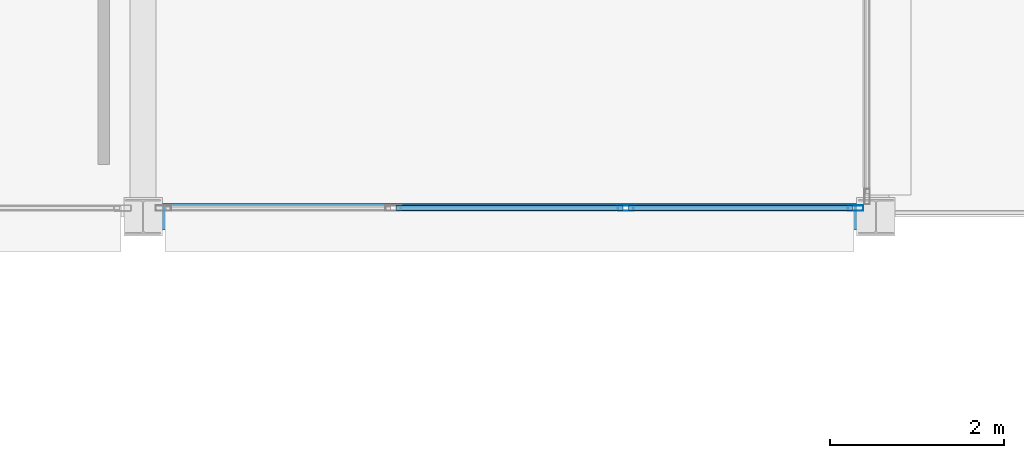
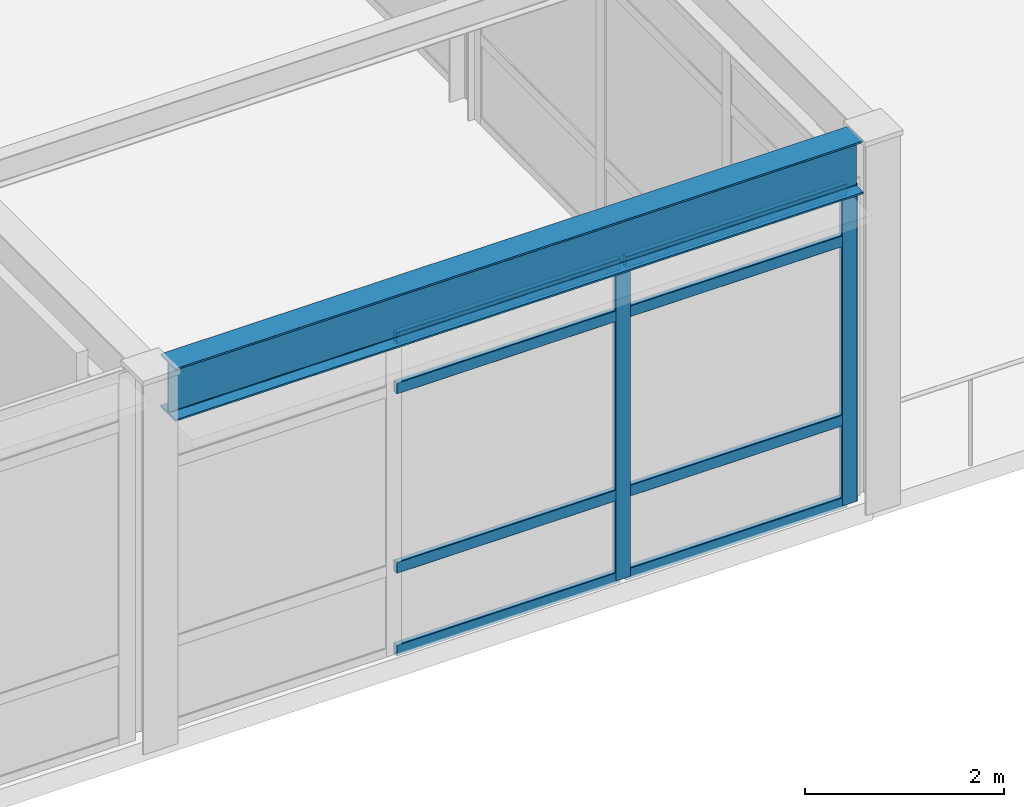
# One storey, part 5 of 61: 10 members, 1 beam, 1 element without a shape of its own.
"""IFC4 building model written with IfcOpenShell, lengths in metres."""

from ifc_helpers import new_model, si_unit, direction, frame, origin, origin_2d, place, context, subcontext, project, spatial, hollow_rectangle, i_section, extrude, material, layer, layer_set, material_profile, profile_set, type_object, element, aggregate, save


model = new_model("IFC4")

# Units and contexts
model_context = context("Model", 3, precision=1e-05, world=origin(), true_north=direction((0.0, 1.0)))
body_context = subcontext(model_context, "Body", "Model", "MODEL_VIEW")
ifc_project = project(units=[si_unit("LENGTHUNIT", "METRE"), si_unit("AREAUNIT", "SQUARE_METRE"), si_unit("VOLUMEUNIT", "CUBIC_METRE"), si_unit("PLANEANGLEUNIT", "RADIAN"), si_unit("MASSUNIT", "GRAM", prefix="KILO")], contexts=[model_context])

# Site, building, storey
site_placement = place(None, origin())
site = spatial("IfcSite", under=ifc_project, at=site_placement, CompositionType="ELEMENT")
building_placement = place(site_placement, origin())
building = spatial("IfcBuilding", under=site, at=building_placement, Name="Kazehara Bluff Congress Hotel", CompositionType="ELEMENT")
storey_placement = place(building_placement, frame((0.0, 0.0, 19.800048828125)))
storey = spatial("IfcBuildingStorey", under=building, at=storey_placement, Name="L04", CompositionType="ELEMENT", Elevation=19.800048828125)

# Curtain wall, members
ifc_material_1 = material(Name="Anodised aluminium", Category="aluminium")
ifc_layer = layer(ifc_material_1, 0.159912109375)
ifc_layer_set = layer_set([ifc_layer], Name="Anodised aluminium")
curtain_wall_type = type_object("IfcCurtainWallType", Name="TP-CW-155", PredefinedType="NOTDEFINED", material=ifc_layer_set)
curtain_wall_placement = place(storey_placement, origin())
curtain_wall = element("IfcCurtainWall", 1, at=curtain_wall_placement, inside=storey, type_object=curtain_wall_type, Name="L04 curtain wall CW-155 CW-ENC-V4-L04-8025-1610", PredefinedType="NOTDEFINED")
ifc_material_2 = material(Name="Anodised aluminium", Category="aluminium")
ifc_material_profile_1 = material_profile(ifc_material_2, hollow_rectangle(XDim=0.06494140625, YDim=0.179931640625, WallThickness=0.00390625, InnerFilletRadius=0.00390625, OuterFilletRadius=0.008056640625, at=origin_2d()))
ifc_profile_set_1 = profile_set([ifc_material_profile_1], Name="Anodised aluminium")
member_type_1 = type_object("IfcMemberType", Name="TP-CWM-02", PredefinedType="MULLION", material=ifc_profile_set_1)
member_1_placement = place(storey_placement, frame((84.217529296875, 16.10009765625, 0.0), z_axis=(0.0, 0.0, 1.0), x_axis=(0.0, -1.0, 0.0)))
member_1 = element("IfcMember", 2, at=member_1_placement, type_object=member_type_1, Name="CW-155 mullion 1", PredefinedType="MULLION", context=body_context, shape_type="SweptSolid", body=[
    extrude(hollow_rectangle(XDim=0.06494140625, YDim=0.179931640625, WallThickness=0.00390625, InnerFilletRadius=0.00390625, OuterFilletRadius=0.008056640625, at=origin_2d()), origin(), (0.0, 0.0, 1.0), 3.905029296875),
])
member_2_placement = place(storey_placement, frame((81.583251953125, 16.10009765625, 0.0), z_axis=(0.0, 0.0, 1.0), x_axis=(0.0, -1.0, 0.0)))
member_2 = element("IfcMember", 3, at=member_2_placement, type_object=member_type_1, Name="CW-155 mullion 2", PredefinedType="MULLION", context=body_context, shape_type="SweptSolid", body=[
    extrude(hollow_rectangle(XDim=0.06494140625, YDim=0.179931640625, WallThickness=0.00390625, InnerFilletRadius=0.00390625, OuterFilletRadius=0.008056640625, at=origin_2d()), origin(), (0.0, 0.0, 1.0), 3.905029296875),
])
ifc_material_3 = material(Name="Anodised aluminium", Category="aluminium")
ifc_material_profile_2 = material_profile(ifc_material_3, hollow_rectangle(XDim=0.06494140625, YDim=0.139892578125, WallThickness=0.00390625, InnerFilletRadius=0.00390625, OuterFilletRadius=0.008056640625, at=origin_2d()))
ifc_profile_set_2 = profile_set([ifc_material_profile_2], Name="Anodised aluminium")
member_type_2 = type_object("IfcMemberType", Name="TP-CWT-02", PredefinedType="USERDEFINED", material=ifc_profile_set_2)
member_3_placement = place(storey_placement, frame((84.18505859375, 16.10009765625, 0.032470703125), z_axis=(-1.0, 0.0, 0.0), x_axis=(0.0, -1.0, 0.0)))
member_3 = element("IfcMember", 4, at=member_3_placement, type_object=member_type_2, Name="CW-155 transom 1.1", ObjectType="TRANSOM", PredefinedType="USERDEFINED", context=body_context, shape_type="SweptSolid", body=[
    extrude(hollow_rectangle(XDim=0.06494140625, YDim=0.139892578125, WallThickness=0.00390625, InnerFilletRadius=0.00390625, OuterFilletRadius=0.008056640625, at=origin_2d()), origin(), (0.0, 0.0, 1.0), 2.5693359375),
])
member_4_placement = place(storey_placement, frame((84.18505859375, 16.10009765625, 1.050048828125), z_axis=(-1.0, 0.0, 0.0), x_axis=(0.0, -1.0, 0.0)))
member_4 = element("IfcMember", 5, at=member_4_placement, type_object=member_type_2, Name="CW-155 transom 1.2", ObjectType="TRANSOM", PredefinedType="USERDEFINED", context=body_context, shape_type="SweptSolid", body=[
    extrude(hollow_rectangle(XDim=0.06494140625, YDim=0.139892578125, WallThickness=0.00390625, InnerFilletRadius=0.00390625, OuterFilletRadius=0.008056640625, at=origin_2d()), origin(), (0.0, 0.0, 1.0), 2.5693359375),
])
member_5_placement = place(storey_placement, frame((84.18505859375, 16.10009765625, 3.2548828125), z_axis=(-1.0, 0.0, 0.0), x_axis=(0.0, -1.0, 0.0)))
member_5 = element("IfcMember", 6, at=member_5_placement, type_object=member_type_2, Name="CW-155 transom 1.3", ObjectType="TRANSOM", PredefinedType="USERDEFINED", context=body_context, shape_type="SweptSolid", body=[
    extrude(hollow_rectangle(XDim=0.06494140625, YDim=0.139892578125, WallThickness=0.00390625, InnerFilletRadius=0.00390625, OuterFilletRadius=0.008056640625, at=origin_2d()), origin(), (0.0, 0.0, 1.0), 2.5693359375),
])
member_6_placement = place(storey_placement, frame((84.18505859375, 16.10009765625, 3.87255859375), z_axis=(-1.0, 0.0, 0.0), x_axis=(0.0, -1.0, 0.0)))
member_6 = element("IfcMember", 7, at=member_6_placement, type_object=member_type_2, Name="CW-155 transom 1.4", ObjectType="TRANSOM", PredefinedType="USERDEFINED", context=body_context, shape_type="SweptSolid", body=[
    extrude(hollow_rectangle(XDim=0.06494140625, YDim=0.139892578125, WallThickness=0.00390625, InnerFilletRadius=0.00390625, OuterFilletRadius=0.008056640625, at=origin_2d()), origin(), (0.0, 0.0, 1.0), 2.5693359375),
])
member_7_placement = place(storey_placement, frame((81.55078125, 16.10009765625, 0.032470703125), z_axis=(-1.0, 0.0, 0.0), x_axis=(0.0, -1.0, 0.0)))
member_7 = element("IfcMember", 8, at=member_7_placement, type_object=member_type_2, Name="CW-155 transom 2.1", ObjectType="TRANSOM", PredefinedType="USERDEFINED", context=body_context, shape_type="SweptSolid", body=[
    extrude(hollow_rectangle(XDim=0.06494140625, YDim=0.139892578125, WallThickness=0.00390625, InnerFilletRadius=0.00390625, OuterFilletRadius=0.008056640625, at=origin_2d()), origin(), (0.0, 0.0, 1.0), 2.6015625),
])
member_8_placement = place(storey_placement, frame((81.55078125, 16.10009765625, 1.050048828125), z_axis=(-1.0, 0.0, 0.0), x_axis=(0.0, -1.0, 0.0)))
member_8 = element("IfcMember", 9, at=member_8_placement, type_object=member_type_2, Name="CW-155 transom 2.2", ObjectType="TRANSOM", PredefinedType="USERDEFINED", context=body_context, shape_type="SweptSolid", body=[
    extrude(hollow_rectangle(XDim=0.06494140625, YDim=0.139892578125, WallThickness=0.00390625, InnerFilletRadius=0.00390625, OuterFilletRadius=0.008056640625, at=origin_2d()), origin(), (0.0, 0.0, 1.0), 2.6015625),
])
member_9_placement = place(storey_placement, frame((81.55078125, 16.10009765625, 3.2548828125), z_axis=(-1.0, 0.0, 0.0), x_axis=(0.0, -1.0, 0.0)))
member_9 = element("IfcMember", 10, at=member_9_placement, type_object=member_type_2, Name="CW-155 transom 2.3", ObjectType="TRANSOM", PredefinedType="USERDEFINED", context=body_context, shape_type="SweptSolid", body=[
    extrude(hollow_rectangle(XDim=0.06494140625, YDim=0.139892578125, WallThickness=0.00390625, InnerFilletRadius=0.00390625, OuterFilletRadius=0.008056640625, at=origin_2d()), origin(), (0.0, 0.0, 1.0), 2.6015625),
])
member_10_placement = place(storey_placement, frame((81.55078125, 16.10009765625, 3.87255859375), z_axis=(-1.0, 0.0, 0.0), x_axis=(0.0, -1.0, 0.0)))
member_10 = element("IfcMember", 11, at=member_10_placement, type_object=member_type_2, Name="CW-155 transom 2.4", ObjectType="TRANSOM", PredefinedType="USERDEFINED", context=body_context, shape_type="SweptSolid", body=[
    extrude(hollow_rectangle(XDim=0.06494140625, YDim=0.139892578125, WallThickness=0.00390625, InnerFilletRadius=0.00390625, OuterFilletRadius=0.008056640625, at=origin_2d()), origin(), (0.0, 0.0, 1.0), 2.6015625),
])
aggregate(curtain_wall, [member_1, member_2, member_3, member_4, member_5, member_6, member_7, member_8, member_9, member_10])

# Beam
ifc_material_4 = material(Name="Steel SN490B", Category="steel")
ifc_material_profile_3 = material_profile(ifc_material_4, i_section(OverallWidth=0.300048828125, OverallDepth=0.64990234375, WebThickness=0.011962890625, FlangeThickness=0.02001953125, FilletRadius=0.012939453125, at=origin_2d()))
ifc_profile_set_3 = profile_set([ifc_material_profile_3], Name="Steel SN490B")
beam_type = type_object("IfcBeamType", Name="TP-G-03", PredefinedType="BEAM", material=ifc_profile_set_3)
beam_placement = place(storey_placement, frame((76.25, 16.0, 4.2548828125), z_axis=(1.0, 0.0, 0.0), x_axis=(0.0, 1.0, 0.0)))
element("IfcBeam", 12, at=beam_placement, inside=storey, type_object=beam_type, Name="L04 girder G-03 17", PredefinedType="BEAM", context=body_context, shape_type="SweptSolid", body=[
    extrude(i_section(OverallWidth=0.300048828125, OverallDepth=0.64990234375, WebThickness=0.011962890625, FlangeThickness=0.02001953125, FilletRadius=0.012939453125, at=origin_2d()), origin(), (0.0, 0.0, 1.0), 8.0),
])

save(model, "model.ifc")
